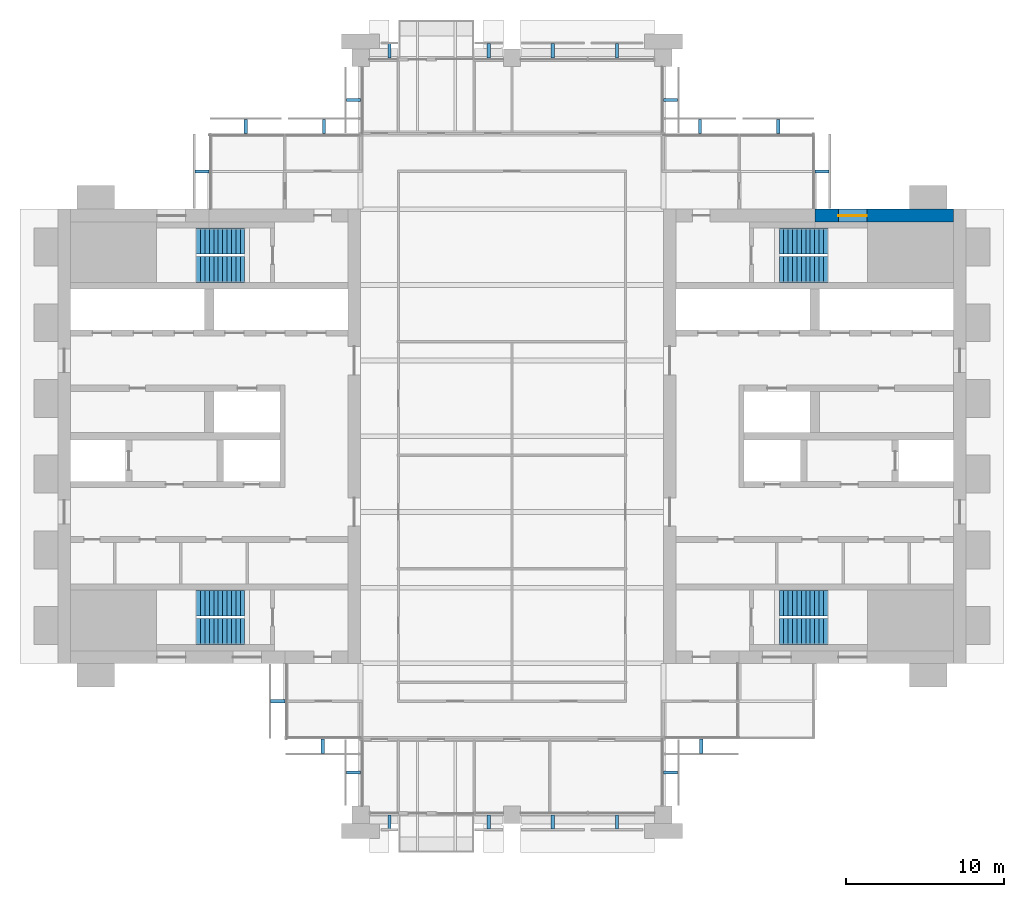
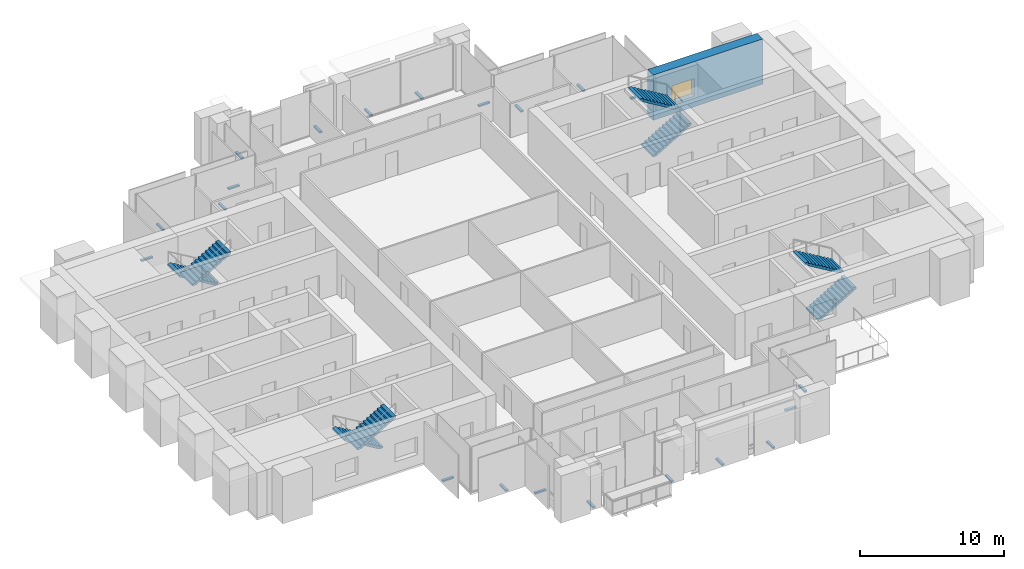
# One storey, part 12 of 14: 21 discrete accessories, 8 stair flights, 1 wall, 1 window, 1 opening, 4 elements without a shape of their own.
"""IFC4 building model written with IfcOpenShell, lengths in metres."""

from ifc_helpers import new_model, si_unit, direction, frame, frame_2d, origin, origin_2d, place, context, subcontext, project, spatial, polyline, rectangle, outline, extrude, material, layer, layer_set, type_object, element, fill, aggregate, save


model = new_model("IFC4")

# Units and contexts
model_context = context("Model", 3, precision=1e-05, world=origin(), true_north=direction((0.0, 1.0)))
body_context = subcontext(model_context, "Body", "Model", "MODEL_VIEW")
ifc_project = project(units=[si_unit("LENGTHUNIT", "METRE"), si_unit("AREAUNIT", "SQUARE_METRE"), si_unit("VOLUMEUNIT", "CUBIC_METRE"), si_unit("PLANEANGLEUNIT", "RADIAN"), si_unit("MASSUNIT", "GRAM", prefix="KILO")], contexts=[model_context])

# Site, building, storey
site_placement = place(None, origin())
site = spatial("IfcSite", under=ifc_project, at=site_placement, CompositionType="ELEMENT")
building_placement = place(site_placement, origin())
building = spatial("IfcBuilding", under=site, at=building_placement, Name="Baori Bourse Tower", CompositionType="ELEMENT")
storey_placement = place(building_placement, frame((0.0, 0.0, 233.199951171875)))
storey = spatial("IfcBuildingStorey", under=building, at=storey_placement, Name="L51", CompositionType="ELEMENT", Elevation=233.199951171875)

# Wall, opening, window
ifc_material_1 = material(Name="Concrete f'c 50 MPa", Category="concrete")
ifc_layer = layer(ifc_material_1, 0.800048828125)
ifc_layer_set = layer_set([ifc_layer], Name="Core wall 800 f'c 50")
wall_type = type_object("IfcWallType", Name="Core wall 800 f'c 50", PredefinedType="SHEAR", material=ifc_layer_set)
wall_placement = place(storey_placement, frame((48.0, 38.0, 0.0), z_axis=(0.0, 0.0, 1.0), x_axis=(1.0, 0.0, 0.0)))
wall = element("IfcWall", 1, at=wall_placement, inside=storey, type_object=wall_type, Name="Core wall E27", PredefinedType="SHEAR", context=body_context, shape_type="SweptSolid", body=[
    extrude(rectangle(XDim=8.800048828125, YDim=0.800048828125, at=frame_2d((4.39990234375, 0.0))), origin(), (0.0, 0.0, 1.0), 3.840087890625),
])
opening_placement = place(wall_placement, frame((1.5, 0.0, 0.89990234375)))
opening = element("IfcOpeningElement", 2, at=opening_placement, cuts=wall, Name="Opening L51-KW205", PredefinedType="OPENING", context=body_context, shape_type="SweptSolid", body=[
    extrude(rectangle(XDim=1.800048828125, YDim=1.5, at=frame_2d((0.89990234375, 0.75))), frame((0.0, 0.409912109375, 0.0), z_axis=(0.0, -1.0, 0.0), x_axis=(1.0, 0.0, 0.0)), (0.0, 0.0, 1.0), 0.820068359375),
])
ifc_material_2 = material(Name="Pale anodised aluminium", Category="aluminium")
window_type = type_object("IfcWindowType", Name="Stair window 1800 x 1500", PartitioningType="SINGLE_PANEL", PredefinedType="WINDOW", material=ifc_material_2)
window_placement = place(opening_placement, origin())
window = element("IfcWindow", 3, at=window_placement, inside=storey, type_object=window_type, Name="Stair window E L51 5", OverallHeight=1.5, OverallWidth=1.800048828125, PartitioningType="SINGLE_PANEL", PredefinedType="WINDOW", context=body_context, shape_type="SweptSolid", body=[
    extrude(rectangle(XDim=1.800048828125, YDim=1.5, at=frame_2d((0.89990234375, 0.75))), frame((0.0, 0.030029296875, 0.0), z_axis=(0.0, -1.0, 0.0), x_axis=(1.0, 0.0, 0.0)), (0.0, 0.0, 1.0), 0.06005859375),
])
fill(opening, window)

# Stair, stair flights
ifc_material_3 = material(Name="Concrete f'c 50 MPa", Category="concrete")
stair_type = type_object("IfcStairType", Name="Core stair", PredefinedType="HALF_TURN_STAIR", material=ifc_material_3)
stair_1_placement = place(storey_placement, origin())
stair_1 = element("IfcStair", 4, at=stair_1_placement, inside=storey, type_object=stair_type, Name="L51 Stair WA", PredefinedType="HALF_TURN_STAIR")
ifc_material_4 = material(Name="Concrete f'c 50 MPa", Category="concrete")
stair_flight_type = type_object("IfcStairFlightType", Name="Core stair flight", PredefinedType="STRAIGHT", material=ifc_material_4)
stair_flight_1_placement = place(storey_placement, frame((11.85009765625, 13.425048828125, 0.0), z_axis=(0.0, 0.0, 1.0), x_axis=(-1.0, 0.0, 0.0)))
stair_flight_1 = element("IfcStairFlight", 5, at=stair_flight_1_placement, type_object=stair_flight_type, Name="ST1 flight 1", NumberOfRisers=12, NumberOfTreads=11, PredefinedType="STRAIGHT", RiserHeight=0.166666667, TreadLength=0.28, context=body_context, shape_type="SweptSolid", body=[
    extrude(outline(polyline([(0.0, 0.0), (0.0, 0.166748046875), (0.280029296875, 0.166748046875), (0.280029296875, 0.333251953125), (0.56005859375, 0.333251953125), (0.56005859375, 0.5), (0.840087890625, 0.5), (0.840087890625, 0.666748046875), (1.1201171875, 0.666748046875), (1.1201171875, 0.833251953125), (1.39990234375, 0.833251953125), (1.39990234375, 1.0), (1.679931640625, 1.0), (1.679931640625, 1.166748046875), (1.9599609375, 1.166748046875), (1.9599609375, 1.333251953125), (2.239990234375, 1.333251953125), (2.239990234375, 1.5), (2.52001953125, 1.5), (2.52001953125, 1.666748046875), (2.800048828125, 1.666748046875), (2.800048828125, 1.833251953125), (3.080078125, 1.833251953125), (3.080078125, 2.0), (3.080078125, 1.658935546875), (0.29296875, 0.0), (0.0, 0.0)])), frame((0.0, 0.824951171875, 0.0), z_axis=(0.0, -1.0, 0.0), x_axis=(1.0, 0.0, 0.0)), (0.0, 0.0, 1.0), 1.64990234375),
])
stair_flight_2_placement = place(storey_placement, frame((8.77001953125, 11.625, 2.0), z_axis=(0.0, 0.0, 1.0), x_axis=(1.0, 0.0, 0.0)))
stair_flight_2 = element("IfcStairFlight", 6, at=stair_flight_2_placement, type_object=stair_flight_type, Name="ST1 flight 2", NumberOfRisers=12, NumberOfTreads=11, PredefinedType="STRAIGHT", RiserHeight=0.166666667, TreadLength=0.28, context=body_context, shape_type="SweptSolid", body=[
    extrude(outline(polyline([(0.0, 0.0), (0.0, 0.166748046875), (0.280029296875, 0.166748046875), (0.280029296875, 0.333251953125), (0.56005859375, 0.333251953125), (0.56005859375, 0.5), (0.840087890625, 0.5), (0.840087890625, 0.666748046875), (1.1201171875, 0.666748046875), (1.1201171875, 0.833251953125), (1.39990234375, 0.833251953125), (1.39990234375, 1.0), (1.679931640625, 1.0), (1.679931640625, 1.166748046875), (1.9599609375, 1.166748046875), (1.9599609375, 1.333251953125), (2.239990234375, 1.333251953125), (2.239990234375, 1.5), (2.52001953125, 1.5), (2.52001953125, 1.666748046875), (2.800048828125, 1.666748046875), (2.800048828125, 1.833251953125), (3.080078125, 1.833251953125), (3.080078125, 2.0), (3.080078125, 1.658935546875), (0.29296875, 0.0), (0.0, 0.0)])), frame((0.0, 0.824951171875, 0.0), z_axis=(0.0, -1.0, 0.0), x_axis=(1.0, 0.0, 0.0)), (0.0, 0.0, 1.0), 1.64990234375),
])
aggregate(stair_1, [stair_flight_1, stair_flight_2])

stair_2_placement = place(storey_placement, origin())
stair_2 = element("IfcStair", 7, at=stair_2_placement, inside=storey, type_object=stair_type, Name="L51 Stair WB", PredefinedType="HALF_TURN_STAIR")
stair_flight_3_placement = place(storey_placement, frame((11.85009765625, 36.375, 0.0), z_axis=(0.0, 0.0, 1.0), x_axis=(-1.0, 0.0, 0.0)))
stair_flight_3 = element("IfcStairFlight", 8, at=stair_flight_3_placement, type_object=stair_flight_type, Name="ST2 flight 1", NumberOfRisers=12, NumberOfTreads=11, PredefinedType="STRAIGHT", RiserHeight=0.166666667, TreadLength=0.28, context=body_context, shape_type="SweptSolid", body=[
    extrude(outline(polyline([(0.0, 0.0), (0.0, 0.166748046875), (0.280029296875, 0.166748046875), (0.280029296875, 0.333251953125), (0.56005859375, 0.333251953125), (0.56005859375, 0.5), (0.840087890625, 0.5), (0.840087890625, 0.666748046875), (1.1201171875, 0.666748046875), (1.1201171875, 0.833251953125), (1.39990234375, 0.833251953125), (1.39990234375, 1.0), (1.679931640625, 1.0), (1.679931640625, 1.166748046875), (1.9599609375, 1.166748046875), (1.9599609375, 1.333251953125), (2.239990234375, 1.333251953125), (2.239990234375, 1.5), (2.52001953125, 1.5), (2.52001953125, 1.666748046875), (2.800048828125, 1.666748046875), (2.800048828125, 1.833251953125), (3.080078125, 1.833251953125), (3.080078125, 2.0), (3.080078125, 1.658935546875), (0.29296875, 0.0), (0.0, 0.0)])), frame((0.0, 0.824951171875, 0.0), z_axis=(0.0, -1.0, 0.0), x_axis=(1.0, 0.0, 0.0)), (0.0, 0.0, 1.0), 1.64990234375),
])
stair_flight_4_placement = place(storey_placement, frame((8.77001953125, 34.574951171875, 2.0), z_axis=(0.0, 0.0, 1.0), x_axis=(1.0, 0.0, 0.0)))
stair_flight_4 = element("IfcStairFlight", 9, at=stair_flight_4_placement, type_object=stair_flight_type, Name="ST2 flight 2", NumberOfRisers=12, NumberOfTreads=11, PredefinedType="STRAIGHT", RiserHeight=0.166666667, TreadLength=0.28, context=body_context, shape_type="SweptSolid", body=[
    extrude(outline(polyline([(0.0, 0.0), (0.0, 0.166748046875), (0.280029296875, 0.166748046875), (0.280029296875, 0.333251953125), (0.56005859375, 0.333251953125), (0.56005859375, 0.5), (0.840087890625, 0.5), (0.840087890625, 0.666748046875), (1.1201171875, 0.666748046875), (1.1201171875, 0.833251953125), (1.39990234375, 0.833251953125), (1.39990234375, 1.0), (1.679931640625, 1.0), (1.679931640625, 1.166748046875), (1.9599609375, 1.166748046875), (1.9599609375, 1.333251953125), (2.239990234375, 1.333251953125), (2.239990234375, 1.5), (2.52001953125, 1.5), (2.52001953125, 1.666748046875), (2.800048828125, 1.666748046875), (2.800048828125, 1.833251953125), (3.080078125, 1.833251953125), (3.080078125, 2.0), (3.080078125, 1.658935546875), (0.29296875, 0.0), (0.0, 0.0)])), frame((0.0, 0.824951171875, 0.0), z_axis=(0.0, -1.0, 0.0), x_axis=(1.0, 0.0, 0.0)), (0.0, 0.0, 1.0), 1.64990234375),
])
aggregate(stair_2, [stair_flight_3, stair_flight_4])

stair_3_placement = place(storey_placement, origin())
stair_3 = element("IfcStair", 10, at=stair_3_placement, inside=storey, type_object=stair_type, Name="L51 Stair EA", PredefinedType="HALF_TURN_STAIR")
stair_flight_5_placement = place(storey_placement, frame((45.75, 11.625, 0.0), z_axis=(0.0, 0.0, 1.0), x_axis=(1.0, 0.0, 0.0)))
stair_flight_5 = element("IfcStairFlight", 11, at=stair_flight_5_placement, type_object=stair_flight_type, Name="ST3 flight 1", NumberOfRisers=12, NumberOfTreads=11, PredefinedType="STRAIGHT", RiserHeight=0.166666667, TreadLength=0.28, context=body_context, shape_type="SweptSolid", body=[
    extrude(outline(polyline([(0.0, 0.0), (0.0, 0.166748046875), (0.280029296875, 0.166748046875), (0.280029296875, 0.333251953125), (0.56005859375, 0.333251953125), (0.56005859375, 0.5), (0.840087890625, 0.5), (0.840087890625, 0.666748046875), (1.1201171875, 0.666748046875), (1.1201171875, 0.833251953125), (1.39990234375, 0.833251953125), (1.39990234375, 1.0), (1.679931640625, 1.0), (1.679931640625, 1.166748046875), (1.9599609375, 1.166748046875), (1.9599609375, 1.333251953125), (2.239990234375, 1.333251953125), (2.239990234375, 1.5), (2.52001953125, 1.5), (2.52001953125, 1.666748046875), (2.800048828125, 1.666748046875), (2.800048828125, 1.833251953125), (3.080078125, 1.833251953125), (3.080078125, 2.0), (3.080078125, 1.658935546875), (0.29296875, 0.0), (0.0, 0.0)])), frame((0.0, 0.824951171875, 0.0), z_axis=(0.0, -1.0, 0.0), x_axis=(1.0, 0.0, 0.0)), (0.0, 0.0, 1.0), 1.64990234375),
])
stair_flight_6_placement = place(storey_placement, frame((48.830078125, 13.425048828125, 2.0), z_axis=(0.0, 0.0, 1.0), x_axis=(-1.0, 0.0, 0.0)))
stair_flight_6 = element("IfcStairFlight", 12, at=stair_flight_6_placement, type_object=stair_flight_type, Name="ST3 flight 2", NumberOfRisers=12, NumberOfTreads=11, PredefinedType="STRAIGHT", RiserHeight=0.166666667, TreadLength=0.28, context=body_context, shape_type="SweptSolid", body=[
    extrude(outline(polyline([(0.0, 0.0), (0.0, 0.166748046875), (0.280029296875, 0.166748046875), (0.280029296875, 0.333251953125), (0.56005859375, 0.333251953125), (0.56005859375, 0.5), (0.840087890625, 0.5), (0.840087890625, 0.666748046875), (1.1201171875, 0.666748046875), (1.1201171875, 0.833251953125), (1.39990234375, 0.833251953125), (1.39990234375, 1.0), (1.679931640625, 1.0), (1.679931640625, 1.166748046875), (1.9599609375, 1.166748046875), (1.9599609375, 1.333251953125), (2.239990234375, 1.333251953125), (2.239990234375, 1.5), (2.52001953125, 1.5), (2.52001953125, 1.666748046875), (2.800048828125, 1.666748046875), (2.800048828125, 1.833251953125), (3.080078125, 1.833251953125), (3.080078125, 2.0), (3.080078125, 1.658935546875), (0.29296875, 0.0), (0.0, 0.0)])), frame((0.0, 0.824951171875, 0.0), z_axis=(0.0, -1.0, 0.0), x_axis=(1.0, 0.0, 0.0)), (0.0, 0.0, 1.0), 1.64990234375),
])
aggregate(stair_3, [stair_flight_5, stair_flight_6])

stair_4_placement = place(storey_placement, origin())
stair_4 = element("IfcStair", 13, at=stair_4_placement, inside=storey, type_object=stair_type, Name="L51 Stair EB", PredefinedType="HALF_TURN_STAIR")
stair_flight_7_placement = place(storey_placement, frame((45.75, 34.574951171875, 0.0), z_axis=(0.0, 0.0, 1.0), x_axis=(1.0, 0.0, 0.0)))
stair_flight_7 = element("IfcStairFlight", 14, at=stair_flight_7_placement, type_object=stair_flight_type, Name="ST4 flight 1", NumberOfRisers=12, NumberOfTreads=11, PredefinedType="STRAIGHT", RiserHeight=0.166666667, TreadLength=0.28, context=body_context, shape_type="SweptSolid", body=[
    extrude(outline(polyline([(0.0, 0.0), (0.0, 0.166748046875), (0.280029296875, 0.166748046875), (0.280029296875, 0.333251953125), (0.56005859375, 0.333251953125), (0.56005859375, 0.5), (0.840087890625, 0.5), (0.840087890625, 0.666748046875), (1.1201171875, 0.666748046875), (1.1201171875, 0.833251953125), (1.39990234375, 0.833251953125), (1.39990234375, 1.0), (1.679931640625, 1.0), (1.679931640625, 1.166748046875), (1.9599609375, 1.166748046875), (1.9599609375, 1.333251953125), (2.239990234375, 1.333251953125), (2.239990234375, 1.5), (2.52001953125, 1.5), (2.52001953125, 1.666748046875), (2.800048828125, 1.666748046875), (2.800048828125, 1.833251953125), (3.080078125, 1.833251953125), (3.080078125, 2.0), (3.080078125, 1.658935546875), (0.29296875, 0.0), (0.0, 0.0)])), frame((0.0, 0.824951171875, 0.0), z_axis=(0.0, -1.0, 0.0), x_axis=(1.0, 0.0, 0.0)), (0.0, 0.0, 1.0), 1.64990234375),
])
stair_flight_8_placement = place(storey_placement, frame((48.830078125, 36.375, 2.0), z_axis=(0.0, 0.0, 1.0), x_axis=(-1.0, 0.0, 0.0)))
stair_flight_8 = element("IfcStairFlight", 15, at=stair_flight_8_placement, type_object=stair_flight_type, Name="ST4 flight 2", NumberOfRisers=12, NumberOfTreads=11, PredefinedType="STRAIGHT", RiserHeight=0.166666667, TreadLength=0.28, context=body_context, shape_type="SweptSolid", body=[
    extrude(outline(polyline([(0.0, 0.0), (0.0, 0.166748046875), (0.280029296875, 0.166748046875), (0.280029296875, 0.333251953125), (0.56005859375, 0.333251953125), (0.56005859375, 0.5), (0.840087890625, 0.5), (0.840087890625, 0.666748046875), (1.1201171875, 0.666748046875), (1.1201171875, 0.833251953125), (1.39990234375, 0.833251953125), (1.39990234375, 1.0), (1.679931640625, 1.0), (1.679931640625, 1.166748046875), (1.9599609375, 1.166748046875), (1.9599609375, 1.333251953125), (2.239990234375, 1.333251953125), (2.239990234375, 1.5), (2.52001953125, 1.5), (2.52001953125, 1.666748046875), (2.800048828125, 1.666748046875), (2.800048828125, 1.833251953125), (3.080078125, 1.833251953125), (3.080078125, 2.0), (3.080078125, 1.658935546875), (0.29296875, 0.0), (0.0, 0.0)])), frame((0.0, 0.824951171875, 0.0), z_axis=(0.0, -1.0, 0.0), x_axis=(1.0, 0.0, 0.0)), (0.0, 0.0, 1.0), 1.64990234375),
])
aggregate(stair_4, [stair_flight_7, stair_flight_8])

# Discrete accessories
ifc_material_5 = material(Name="Pale anodised aluminium", Category="aluminium")
discrete_accessory_type = type_object("IfcDiscreteAccessoryType", Name="OS2 Outer skin bracket", PredefinedType="BRACKET", material=ifc_material_5)
for number, where, z_axis, x_axis, name in (
    (16, (48.449951171875, 40.800048828125, -0.143798828125), (0.0, 0.0, 1.0), (0.0, 1.0, 0.0), "Outer skin bracket L51 1"),
    (17, (45.6875, 43.64990234375, -0.143798828125), (0.0, 0.0, 1.0), (-1.0, 0.0, 0.0), "Outer skin bracket L51 2"),
    (18, (40.71240234375, 43.64990234375, -0.143798828125), (0.0, 0.0, 1.0), (-1.0, 0.0, 0.0), "Outer skin bracket L51 3"),
    (19, (38.85009765625, 45.324951171875, -0.143798828125), (0.0, 0.0, 1.0), (0.0, 1.0, 0.0), "Outer skin bracket L51 4"),
    (20, (35.46240234375, 48.449951171875, -0.143798828125), (0.0, 0.0, 1.0), (-1.0, 0.0, 0.0), "Outer skin bracket L51 5"),
    (21, (31.387451171875, 48.449951171875, -0.143798828125), (0.0, 0.0, 1.0), (-1.0, 0.0, 0.0), "Outer skin bracket L51 6"),
    (22, (27.324951171875, 48.449951171875, -0.143798828125), (0.0, 0.0, 1.0), (-1.0, 0.0, 0.0), "Outer skin bracket L51 7"),
    (23, (21.02490234375, 48.449951171875, -0.143798828125), (0.0, 0.0, 1.0), (-1.0, 0.0, 0.0), "Outer skin bracket L51 8"),
    (24, (18.75, 45.324951171875, -0.143798828125), (0.0, 0.0, 1.0), (0.0, -1.0, 0.0), "Outer skin bracket L51 9"),
    (25, (16.887451171875, 43.64990234375, -0.143798828125), (0.0, 0.0, 1.0), (-1.0, 0.0, 0.0), "Outer skin bracket L51 10"),
    (26, (11.91259765625, 43.64990234375, -0.143798828125), (0.0, 0.0, 1.0), (-1.0, 0.0, 0.0), "Outer skin bracket L51 11"),
    (27, (9.14990234375, 40.800048828125, -0.143798828125), (0.0, 0.0, 1.0), (0.0, -1.0, 0.0), "Outer skin bracket L51 12"),
    (28, (13.949951171875, 7.199951171875, -0.143798828125), (0.0, 0.0, 1.0), (0.0, -1.0, 0.0), "Outer skin bracket L51 13"),
    (29, (16.800048828125, 4.35009765625, -0.143798828125), (0.0, 0.0, 1.0), (1.0, 0.0, 0.0), "Outer skin bracket L51 14"),
    (30, (18.75, 2.675048828125, -0.143798828125), (0.0, 0.0, 1.0), (0.0, -1.0, 0.0), "Outer skin bracket L51 15"),
    (31, (21.02490234375, -0.449951171875, -0.143798828125), (0.0, 0.0, 1.0), (1.0, 0.0, 0.0), "Outer skin bracket L51 16"),
    (32, (27.324951171875, -0.449951171875, -0.143798828125), (0.0, 0.0, 1.0), (1.0, 0.0, 0.0), "Outer skin bracket L51 17"),
    (33, (31.387451171875, -0.449951171875, -0.143798828125), (0.0, 0.0, 1.0), (1.0, 0.0, 0.0), "Outer skin bracket L51 18"),
    (34, (35.46240234375, -0.449951171875, -0.143798828125), (0.0, 0.0, 1.0), (1.0, 0.0, 0.0), "Outer skin bracket L51 19"),
    (35, (38.85009765625, 2.675048828125, -0.143798828125), (0.0, 0.0, 1.0), (0.0, 1.0, 0.0), "Outer skin bracket L51 20"),
    (36, (40.800048828125, 4.35009765625, -0.143798828125), (0.0, 0.0, 1.0), (1.0, 0.0, 0.0), "Outer skin bracket L51 21"),
):
    element("IfcDiscreteAccessory", number, at=place(storey_placement, frame(where, z_axis=z_axis, x_axis=x_axis)), inside=storey, type_object=discrete_accessory_type, Name=name, PredefinedType="BRACKET", context=body_context, shape_type="SweptSolid", body=[
        extrude(rectangle(XDim=0.199951171875, YDim=0.89990234375, at=origin_2d()), origin(), (0.0, 0.0, 1.0), 0.1279296875),
    ])

save(model, "model.ifc")
